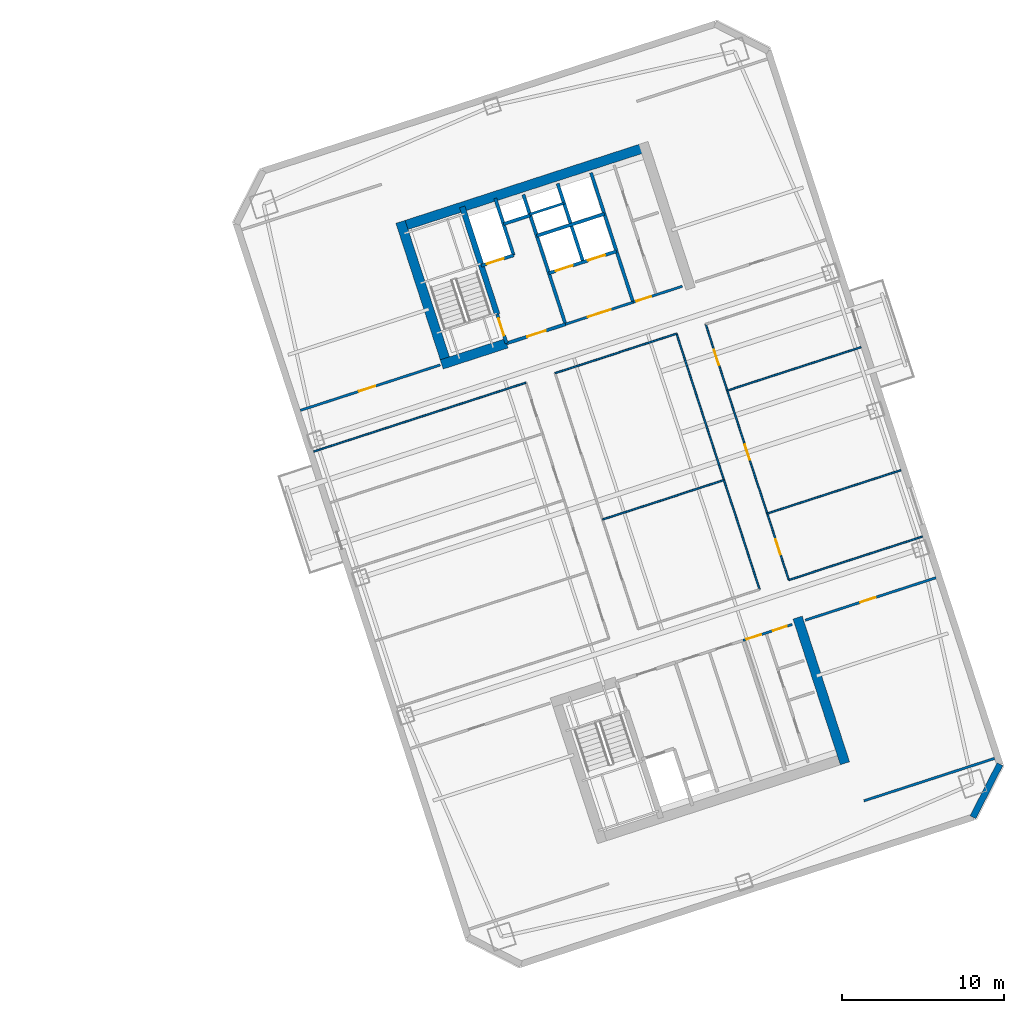
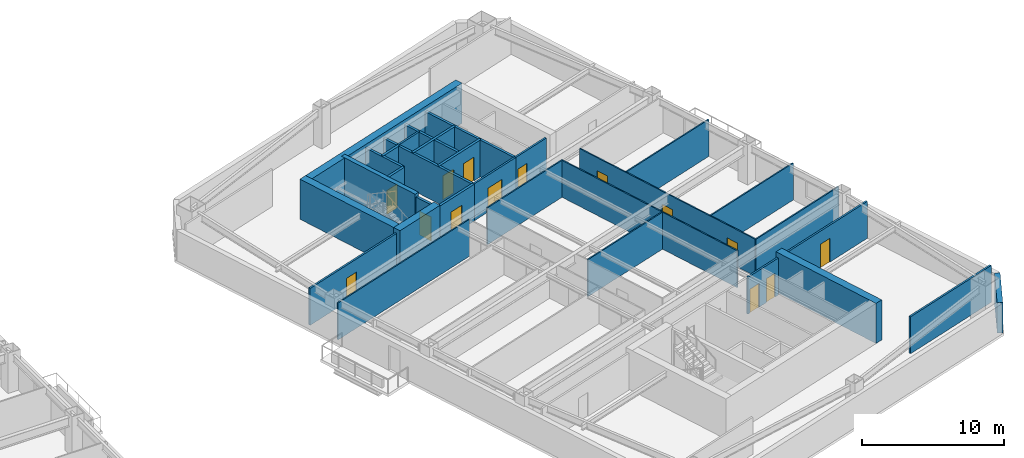
# One storey, part 8 of 15: 31 walls, 14 doors, 14 openings.
"""IFC4 building model written with IfcOpenShell, lengths in metres."""

from ifc_helpers import new_model, si_unit, direction, frame, frame_2d, origin, place, context, subcontext, project, spatial, rectangle, extrude, material, layer, layer_set, type_object, element, fill, save


model = new_model("IFC4")

# Units and contexts
model_context = context("Model", 3, precision=1e-05, world=origin(), true_north=direction((0.0, 1.0)))
body_context = subcontext(model_context, "Body", "Model", "MODEL_VIEW")
ifc_project = project(units=[si_unit("LENGTHUNIT", "METRE"), si_unit("AREAUNIT", "SQUARE_METRE"), si_unit("VOLUMEUNIT", "CUBIC_METRE"), si_unit("PLANEANGLEUNIT", "RADIAN"), si_unit("MASSUNIT", "GRAM", prefix="KILO")], contexts=[model_context])

# Site, building, storey
site_placement = place(None, origin())
site = spatial("IfcSite", under=ifc_project, at=site_placement, CompositionType="ELEMENT")
building_placement = place(site_placement, origin())
building = spatial("IfcBuilding", under=site, at=building_placement, Name="Qiaolan Cultural Towers", CompositionType="ELEMENT")
storey_placement = place(building_placement, frame((0.0, 0.0, 113.85009765625)))
storey = spatial("IfcBuildingStorey", under=building, at=storey_placement, Name="L29", CompositionType="ELEMENT", Elevation=113.85009765625)

# Walls
ifc_material_1 = material(Name="Concrete C50", Category="concrete")
ifc_layer_1 = layer(ifc_material_1, 0.35009765625)
ifc_layer_set_1 = layer_set([ifc_layer_1], Name="Concrete C50")
wall_type_1 = type_object("IfcWallType", Name="WL-CORE-350", PredefinedType="SHEAR", material=ifc_layer_set_1)
wall_1_placement = place(storey_placement, frame((82.513671875, 45.13134765625, 0.0), z_axis=(0.0, 0.0, 1.0), x_axis=(-0.308988790936, 0.951065679686, 0.0)))
element("IfcWall", 1, at=wall_1_placement, inside=storey, type_object=wall_type_1, Name="L29 T2-CN Stair Core Dividing Web", PredefinedType="SHEAR", context=body_context, shape_type="SweptSolid", body=[
    extrude(rectangle(XDim=6.97998046875, YDim=0.35009765625, at=frame_2d((3.489990234375, 0.0))), origin(), (0.0, 0.0, 1.0), 3.449951171875),
])
ifc_material_2 = material(Name="Concrete C55", Category="concrete")
ifc_layer_2 = layer(ifc_material_2, 0.60009765625)
ifc_layer_set_2 = layer_set([ifc_layer_2], Name="Concrete C55")
wall_type_2 = type_object("IfcWallType", Name="WL-CORE-600", PredefinedType="SHEAR", material=ifc_layer_set_2)
wall_2_placement = place(storey_placement, frame((101.105224609375, 26.357666015625, 0.0), z_axis=(0.0, 0.0, 1.0), x_axis=(0.309010370028, -0.95105866865, 0.0)))
element("IfcWall", 2, at=wall_2_placement, inside=storey, type_object=wall_type_2, Name="L29 T2-CS East Core Shear Wall", PredefinedType="SHEAR", context=body_context, shape_type="SweptSolid", body=[
    extrude(rectangle(XDim=9.47998046875, YDim=0.60009765625, at=frame_2d((4.739990234375, 0.0))), origin(), (0.0, 0.0, 1.0), 3.449951171875),
])
wall_3_placement = place(storey_placement, frame((76.343505859375, 50.4658203125, 0.0), z_axis=(0.0, 0.0, 1.0), x_axis=(0.951055727519, 0.309019421968, 0.0)))
element("IfcWall", 3, at=wall_3_placement, inside=storey, type_object=wall_type_2, Name="L29 T2-CN Outer Core Shear Wall", PredefinedType="SHEAR", context=body_context, shape_type="SweptSolid", body=[
    extrude(rectangle(XDim=16.39990234375, YDim=0.60009765625, at=frame_2d((8.199951171875, 0.0))), origin(), (0.0, 0.0, 1.0), 3.449951171875),
])
wall_4_placement = place(storey_placement, frame((79.465576171875, 41.827880859375, 0.0), z_axis=(0.0, 0.0, 1.0), x_axis=(-0.309041232772, 0.951048640421, 0.0)))
element("IfcWall", 4, at=wall_4_placement, inside=storey, type_object=wall_type_2, Name="L29 T2-CN West Core Shear Wall", PredefinedType="SHEAR", context=body_context, shape_type="SweptSolid", body=[
    extrude(rectangle(XDim=9.47998046875, YDim=0.60009765625, at=frame_2d((4.739990234375, 0.0))), origin(), (0.0, 0.0, 1.0), 3.449951171875),
])
wall_5_placement = place(storey_placement, frame((79.08740234375, 42.0205078125, 0.0), z_axis=(0.0, 0.0, 1.0), x_axis=(0.951062550203, 0.3089984233, 0.0)))
element("IfcWall", 5, at=wall_5_placement, inside=storey, type_object=wall_type_2, Name="L29 T2-CN Stair Front Shear Wall", PredefinedType="SHEAR", context=body_context, shape_type="SweptSolid", body=[
    extrude(rectangle(XDim=4.219970703125, YDim=0.60009765625, at=frame_2d((2.10986328125, 0.0))), origin(), (0.0, 0.0, 1.0), 3.449951171875),
])
ifc_material_3 = material(Name="Precast Concrete C50 Honed Stone Pier", Category="masonry")
ifc_layer_3 = layer(ifc_material_3, 0.39990234375)
ifc_layer_set_3 = layer_set([ifc_layer_3], Name="Precast Concrete C50 Honed Stone Pier")
wall_type_3 = type_object("IfcWallType", Name="WL-EXT-PIER-400", PredefinedType="SOLIDWALL", material=ifc_layer_set_3)
wall_6_placement = place(storey_placement, frame((113.62255859375, 17.281494140625, 0.0), z_axis=(0.0, 0.0, 1.0), x_axis=(-0.454026238093, -0.890988313685, 0.0)))
element("IfcWall", 6, at=wall_6_placement, inside=storey, type_object=wall_type_3, Name="L29 East Tower Precast Pier Facade Wall F6", PredefinedType="SOLIDWALL", context=body_context, shape_type="SweptSolid", body=[
    extrude(rectangle(XDim=3.677001953125, YDim=0.39990234375, at=frame_2d((1.83837890625, 0.0))), origin(), (0.0, 0.0, 1.0), 2.60986328125),
])

# Wall, opening, door
ifc_material_4 = material(Name="Concrete C35 Fire Wall", Category="concrete")
ifc_layer_4 = layer(ifc_material_4, 0.199951171875)
ifc_layer_set_4 = layer_set([ifc_layer_4], Name="Concrete C35 Fire Wall")
wall_type_4 = type_object("IfcWallType", Name="WL-FIRE-200", PredefinedType="PARTITIONING", material=ifc_layer_set_4)
wall_7_placement = place(storey_placement, frame((83.100830078125, 43.324462890625, 0.0), z_axis=(0.0, 0.0, 1.0), x_axis=(-0.309048298632, 0.951046344356, 0.0)))
wall_7 = element("IfcWall", 7, at=wall_7_placement, inside=storey, type_object=wall_type_4, Name="L29 T2-CN Smokeproof Stair Entry Wall", PredefinedType="PARTITIONING", context=body_context, shape_type="SweptSolid", body=[
    extrude(rectangle(XDim=1.89990234375, YDim=0.199951171875, at=frame_2d((0.949951171875, 0.0))), origin(), (0.0, 0.0, 1.0), 3.1748046875),
])
opening_1_placement = place(wall_7_placement, frame((0.52001953125, 0.0, 0.0)))
opening_1 = element("IfcOpeningElement", 8, at=opening_1_placement, cuts=wall_7, Name="Opening FD-04", PredefinedType="OPENING", context=body_context, shape_type="SweptSolid", body=[
    extrude(rectangle(XDim=1.10009765625, YDim=2.050048828125, at=frame_2d((0.550048828125, 1.02490234375))), frame((0.0, 0.10986328125, 0.0), z_axis=(0.0, -1.0, 0.0), x_axis=(1.0, 0.0, 0.0)), (0.0, 0.0, 1.0), 0.219970703125),
])
ifc_material_5 = material(Name="Galvanized Steel Command Fire Door", Category="steel")
door_type_1 = type_object("IfcDoorType", Name="DR-FD90-1100", OperationType="NOTDEFINED", PredefinedType="DOOR", material=ifc_material_5)
door_1_placement = place(opening_1_placement, origin())
door_1 = element("IfcDoor", 9, at=door_1_placement, inside=storey, type_object=door_type_1, Name="L29 ST-E2 Smokeproof Stair Fire Door", OperationType="SINGLE_SWING_LEFT", OverallHeight=2.050048828125, OverallWidth=1.10009765625, PredefinedType="DOOR", context=body_context, shape_type="SweptSolid", body=[
    extrude(rectangle(XDim=1.10009765625, YDim=2.050048828125, at=frame_2d((0.550048828125, 1.02490234375))), frame((0.0, 0.02490234375, 0.0), z_axis=(0.0, -1.0, 0.0), x_axis=(1.0, 0.0, 0.0)), (0.0, 0.0, 1.0), 0.050048828125),
])
fill(opening_1, door_1)

# Wall
wall_8_placement = place(storey_placement, frame((86.743408203125, 44.508056640625, 0.0), z_axis=(0.0, 0.0, 1.0), x_axis=(-0.309016001439, 0.951056838919, 0.0)))
element("IfcWall", 10, at=wall_8_placement, inside=storey, type_object=wall_type_4, Name="L29 T2-CN Firefighting Zone Wall", PredefinedType="PARTITIONING", context=body_context, shape_type="SweptSolid", body=[
    extrude(rectangle(XDim=8.429931640625, YDim=0.199951171875, at=frame_2d((4.21484375, 0.0))), origin(), (0.0, 0.0, 1.0), 3.1748046875),
])

# Wall, opening, door
wall_9_placement = place(storey_placement, frame((83.100830078125, 43.324462890625, 0.0), z_axis=(0.0, 0.0, 1.0), x_axis=(0.951052804469, 0.309028417967, 0.0)))
wall_9 = element("IfcWall", 11, at=wall_9_placement, inside=storey, type_object=wall_type_4, Name="L29 T2-CN Firefighting Lobby Front Wall", PredefinedType="PARTITIONING", context=body_context, shape_type="SweptSolid", body=[
    extrude(rectangle(XDim=3.830078125, YDim=0.199951171875, at=frame_2d((1.9150390625, 0.0))), origin(), (0.0, 0.0, 1.0), 3.1748046875),
])
opening_2_placement = place(wall_9_placement, frame((1.35009765625, 0.0, 0.0)))
opening_2 = element("IfcOpeningElement", 12, at=opening_2_placement, cuts=wall_9, Name="Opening FD-03", PredefinedType="OPENING", context=body_context, shape_type="SweptSolid", body=[
    extrude(rectangle(XDim=1.199951171875, YDim=2.050048828125, at=frame_2d((0.60009765625, 1.02490234375))), frame((0.0, 0.10986328125, 0.0), z_axis=(0.0, -1.0, 0.0), x_axis=(1.0, 0.0, 0.0)), (0.0, 0.0, 1.0), 0.219970703125),
])
ifc_material_6 = material(Name="Galvanized Steel Smokeproof Lobby Fire Door", Category="steel")
door_type_2 = type_object("IfcDoorType", Name="DR-FD90-1200", OperationType="NOTDEFINED", PredefinedType="DOOR", material=ifc_material_6)
door_2_placement = place(opening_2_placement, origin())
door_2 = element("IfcDoor", 13, at=door_2_placement, inside=storey, type_object=door_type_2, Name="L29 FFL-E2 Firefighting Lobby Fire Door", OperationType="SINGLE_SWING_LEFT", OverallHeight=2.050048828125, OverallWidth=1.199951171875, PredefinedType="DOOR", context=body_context, shape_type="SweptSolid", body=[
    extrude(rectangle(XDim=1.199951171875, YDim=2.050048828125, at=frame_2d((0.60009765625, 1.02490234375))), frame((0.0, 0.02490234375, 0.0), z_axis=(0.0, -1.0, 0.0), x_axis=(1.0, 0.0, 0.0)), (0.0, 0.0, 1.0), 0.050048828125),
])
fill(opening_2, door_2)

wall_10_placement = place(storey_placement, frame((81.540283203125, 48.127197265625, 0.0), z_axis=(0.0, 0.0, 1.0), x_axis=(0.951062257173, 0.308999325213, 0.0)))
wall_10 = element("IfcWall", 14, at=wall_10_placement, inside=storey, type_object=wall_type_4, Name="L29 T2-CN Firefighting Shaft Front Wall", PredefinedType="PARTITIONING", context=body_context, shape_type="SweptSolid", body=[
    extrude(rectangle(XDim=2.10009765625, YDim=0.199951171875, at=frame_2d((1.050048828125, 0.0))), origin(), (0.0, 0.0, 1.0), 3.1748046875),
])
opening_3_placement = place(wall_10_placement, frame((0.35009765625, 0.0, 0.0)))
opening_3 = element("IfcOpeningElement", 15, at=opening_3_placement, cuts=wall_10, Name="Opening LD-01", PredefinedType="OPENING", context=body_context, shape_type="SweptSolid", body=[
    extrude(rectangle(XDim=1.10009765625, YDim=2.050048828125, at=frame_2d((0.550048828125, 1.02490234375))), frame((0.0, 0.10986328125, 0.0), z_axis=(0.0, -1.0, 0.0), x_axis=(1.0, 0.0, 0.0)), (0.0, 0.0, 1.0), 0.219970703125),
])
ifc_material_7 = material(Name="Brushed Stainless Steel S30408 Centre-Parting Lift Landing Door", Category="steel")
door_type_3 = type_object("IfcDoorType", Name="DR-LIFT-1100", OperationType="NOTDEFINED", PredefinedType="DOOR", material=ifc_material_7)
door_3_placement = place(opening_3_placement, origin())
door_3 = element("IfcDoor", 16, at=door_3_placement, inside=storey, type_object=door_type_3, Name="L29 FFL-E2 Firefighting Lift Landing Door", OperationType="DOUBLE_DOOR_SLIDING", OverallHeight=2.050048828125, OverallWidth=1.10009765625, PredefinedType="DOOR", context=body_context, shape_type="SweptSolid", body=[
    extrude(rectangle(XDim=1.10009765625, YDim=2.050048828125, at=frame_2d((0.550048828125, 1.02490234375))), frame((0.0, 0.02490234375, 0.0), z_axis=(0.0, -1.0, 0.0), x_axis=(1.0, 0.0, 0.0)), (0.0, 0.0, 1.0), 0.050048828125),
])
fill(opening_3, door_3)

# Walls
wall_11_placement = place(storey_placement, frame((83.53759765625, 48.776123046875, 0.0), z_axis=(0.0, 0.0, 1.0), x_axis=(-0.3089935693, 0.951064127245, 0.0)))
element("IfcWall", 17, at=wall_11_placement, inside=storey, type_object=wall_type_4, Name="L29 T2-CN Firefighting Hoistway East Wall", PredefinedType="PARTITIONING", context=body_context, shape_type="SweptSolid", body=[
    extrude(rectangle(XDim=3.7001953125, YDim=0.199951171875, at=frame_2d((1.85009765625, 0.0))), origin(), (0.0, 0.0, 1.0), 3.1748046875),
])
wall_12_placement = place(storey_placement, frame((82.910400390625, 50.706787109375, 0.0), z_axis=(0.0, 0.0, 1.0), x_axis=(0.951041328149, 0.309063734775, 0.0)))
element("IfcWall", 18, at=wall_12_placement, inside=storey, type_object=wall_type_4, Name="L29 T2-CN Pressurization Shaft Front Wall", PredefinedType="PARTITIONING", context=body_context, shape_type="SweptSolid", body=[
    extrude(rectangle(XDim=1.72998046875, YDim=0.199951171875, at=frame_2d((0.864990234375, 0.0))), origin(), (0.0, 0.0, 1.0), 3.1748046875),
])
wall_13_placement = place(storey_placement, frame((90.92822265625, 45.86767578125, 0.0), z_axis=(0.0, 0.0, 1.0), x_axis=(-0.309042196757, 0.951048327176, 0.0)))
element("IfcWall", 19, at=wall_13_placement, inside=storey, type_object=wall_type_4, Name="L29 T2-CN Lift Core East Wall", PredefinedType="PARTITIONING", context=body_context, shape_type="SweptSolid", body=[
    extrude(rectangle(XDim=8.429931640625, YDim=0.199951171875, at=frame_2d((4.21484375, 0.0))), origin(), (0.0, 0.0, 1.0), 3.1748046875),
])

# Wall, openings, doors
wall_14_placement = place(storey_placement, frame((85.717529296875, 47.66552734375, 0.0), z_axis=(0.0, 0.0, 1.0), x_axis=(0.951058531764, 0.30901079133, 0.0)))
wall_14 = element("IfcWall", 20, at=wall_14_placement, inside=storey, type_object=wall_type_4, Name="L29 T2-CN Passenger Lift Shaft Front Wall", PredefinedType="PARTITIONING", context=body_context, shape_type="SweptSolid", body=[
    extrude(rectangle(XDim=4.39990234375, YDim=0.199951171875, at=frame_2d((2.199951171875, 0.0))), origin(), (0.0, 0.0, 1.0), 3.1748046875),
])
opening_4_placement = place(wall_14_placement, frame((0.449951171875, 0.0, 0.0)))
opening_4 = element("IfcOpeningElement", 21, at=opening_4_placement, cuts=wall_14, Name="Opening LD-01", PredefinedType="OPENING", context=body_context, shape_type="SweptSolid", body=[
    extrude(rectangle(XDim=1.10009765625, YDim=2.050048828125, at=frame_2d((0.550048828125, 1.02490234375))), frame((0.0, 0.10986328125, 0.0), z_axis=(0.0, -1.0, 0.0), x_axis=(1.0, 0.0, 0.0)), (0.0, 0.0, 1.0), 0.219970703125),
])
opening_5_placement = place(wall_14_placement, frame((2.550048828125, 0.0, 0.0)))
opening_5 = element("IfcOpeningElement", 22, at=opening_5_placement, cuts=wall_14, Name="Opening LD-01", PredefinedType="OPENING", context=body_context, shape_type="SweptSolid", body=[
    extrude(rectangle(XDim=1.10009765625, YDim=2.050048828125, at=frame_2d((0.550048828125, 1.02490234375))), frame((0.0, 0.10986328125, 0.0), z_axis=(0.0, -1.0, 0.0), x_axis=(1.0, 0.0, 0.0)), (0.0, 0.0, 1.0), 0.219970703125),
])
door_4_placement = place(opening_4_placement, origin())
door_4 = element("IfcDoor", 23, at=door_4_placement, inside=storey, type_object=door_type_3, Name="L29 Passenger Lift 1 Landing Door", OperationType="DOUBLE_DOOR_SLIDING", OverallHeight=2.050048828125, OverallWidth=1.10009765625, PredefinedType="DOOR", context=body_context, shape_type="SweptSolid", body=[
    extrude(rectangle(XDim=1.10009765625, YDim=2.050048828125, at=frame_2d((0.550048828125, 1.02490234375))), frame((0.0, 0.02490234375, 0.0), z_axis=(0.0, -1.0, 0.0), x_axis=(1.0, 0.0, 0.0)), (0.0, 0.0, 1.0), 0.050048828125),
])
fill(opening_4, door_4)
door_5_placement = place(opening_5_placement, origin())
door_5 = element("IfcDoor", 24, at=door_5_placement, inside=storey, type_object=door_type_3, Name="L29 Passenger Lift 2 Landing Door", OperationType="DOUBLE_DOOR_SLIDING", OverallHeight=2.050048828125, OverallWidth=1.10009765625, PredefinedType="DOOR", context=body_context, shape_type="SweptSolid", body=[
    extrude(rectangle(XDim=1.10009765625, YDim=2.050048828125, at=frame_2d((0.550048828125, 1.02490234375))), frame((0.0, 0.02490234375, 0.0), z_axis=(0.0, -1.0, 0.0), x_axis=(1.0, 0.0, 0.0)), (0.0, 0.0, 1.0), 0.050048828125),
])
fill(opening_5, door_5)

# Walls
wall_15_placement = place(storey_placement, frame((87.83837890625, 48.3544921875, 0.0), z_axis=(0.0, 0.0, 1.0), x_axis=(-0.3090093719, 0.951058992953, 0.0)))
element("IfcWall", 25, at=wall_15_placement, inside=storey, type_object=wall_type_4, Name="L29 T2-CN Lift Shaft Divider Wall", PredefinedType="PARTITIONING", context=body_context, shape_type="SweptSolid", body=[
    extrude(rectangle(XDim=5.110107421875, YDim=0.199951171875, at=frame_2d((2.55517578125, 0.0))), origin(), (0.0, 0.0, 1.0), 3.1748046875),
])
wall_16_placement = place(storey_placement, frame((84.966552734375, 49.9765625, 0.0), z_axis=(0.0, 0.0, 1.0), x_axis=(0.951063829732, 0.308994485023, 0.0)))
element("IfcWall", 26, at=wall_16_placement, inside=storey, type_object=wall_type_4, Name="L29 T2-CN Passenger Lift Shaft Back Wall", PredefinedType="PARTITIONING", context=body_context, shape_type="SweptSolid", body=[
    extrude(rectangle(XDim=4.400146484375, YDim=0.199951171875, at=frame_2d((2.2001953125, 0.0))), origin(), (0.0, 0.0, 1.0), 3.1748046875),
])
ifc_material_8 = material(Name="Acoustic Double-Glazed Partition Frame", Category="glass")
ifc_layer_5 = layer(ifc_material_8, 0.10009765625)
ifc_layer_set_5 = layer_set([ifc_layer_5], Name="Acoustic Double-Glazed Partition Frame")
wall_type_5 = type_object("IfcWallType", Name="WL-GLAZED-100", PredefinedType="MOVABLE", material=ifc_layer_set_5)
wall_17_placement = place(storey_placement, frame((100.559814453125, 28.682861328125, 0.0), z_axis=(0.0, 0.0, 1.0), x_axis=(0.951055307445, 0.309020714809, 0.0)))
element("IfcWall", 27, at=wall_17_placement, inside=storey, type_object=wall_type_5, Name="L29 T2 Interior Wall", PredefinedType="MOVABLE", context=body_context, shape_type="SweptSolid", body=[
    extrude(rectangle(XDim=8.699951171875, YDim=0.10009765625, at=frame_2d((4.35009765625, 0.0))), origin(), (0.0, 0.0, 1.0), 3.1748046875),
])
wall_18_placement = place(storey_placement, frame((71.166015625, 36.628662109375, 0.0), z_axis=(0.0, 0.0, 1.0), x_axis=(0.951056688031, 0.309016465825, 0.0)))
element("IfcWall", 28, at=wall_18_placement, inside=storey, type_object=wall_type_5, Name="L29 T2 Interior Wall", PredefinedType="MOVABLE", context=body_context, shape_type="SweptSolid", body=[
    extrude(rectangle(XDim=13.7998046875, YDim=0.10009765625, at=frame_2d((6.89990234375, 0.0))), origin(), (0.0, 0.0, 1.0), 3.1748046875),
])
wall_19_placement = place(storey_placement, frame((86.097412109375, 41.480224609375, 0.0), z_axis=(0.0, 0.0, 1.0), x_axis=(0.951060182336, 0.309005711233, 0.0)))
element("IfcWall", 29, at=wall_19_placement, inside=storey, type_object=wall_type_5, Name="L29 T2 Interior Wall", PredefinedType="MOVABLE", context=body_context, shape_type="SweptSolid", body=[
    extrude(rectangle(XDim=7.900146484375, YDim=0.10009765625, at=frame_2d((3.9501953125, 0.0))), origin(), (0.0, 0.0, 1.0), 3.1748046875),
])
wall_20_placement = place(storey_placement, frame((98.7529296875, 28.095703125, 0.0), z_axis=(0.0, 0.0, 1.0), x_axis=(-0.30901773025, 0.951056277195, 0.0)))
element("IfcWall", 30, at=wall_20_placement, inside=storey, type_object=wall_type_5, Name="L29 T2 Interior Wall", PredefinedType="MOVABLE", context=body_context, shape_type="SweptSolid", body=[
    extrude(rectangle(XDim=16.64013671875, YDim=0.10009765625, at=frame_2d((8.320068359375, 0.0))), origin(), (0.0, 0.0, 1.0), 3.1748046875),
])

# Wall, openings, doors
wall_21_placement = place(storey_placement, frame((100.559814453125, 28.682861328125, 0.0), z_axis=(0.0, 0.0, 1.0), x_axis=(-0.309004459387, 0.951060589068, 0.0)))
wall_21 = element("IfcWall", 31, at=wall_21_placement, inside=storey, type_object=wall_type_5, Name="L29 T2 Interior Wall", PredefinedType="MOVABLE", context=body_context, shape_type="SweptSolid", body=[
    extrude(rectangle(XDim=16.64013671875, YDim=0.10009765625, at=frame_2d((8.320068359375, 0.0))), origin(), (0.0, 0.0, 1.0), 3.1748046875),
])
opening_6_placement = place(wall_21_placement, frame((1.659912109375, 0.0, 0.0)))
opening_6 = element("IfcOpeningElement", 32, at=opening_6_placement, cuts=wall_21, Name="Opening ID-04", PredefinedType="OPENING", context=body_context, shape_type="SweptSolid", body=[
    extrude(rectangle(XDim=1.0, YDim=2.050048828125, at=frame_2d((0.5, 1.02490234375))), frame((0.0, 0.06005859375, 0.0), z_axis=(0.0, -1.0, 0.0), x_axis=(1.0, 0.0, 0.0)), (0.0, 0.0, 1.0), 0.1201171875),
])
opening_7_placement = place(wall_21_placement, frame((7.820068359375, 0.0, 0.0)))
opening_7 = element("IfcOpeningElement", 33, at=opening_7_placement, cuts=wall_21, Name="Opening ID-04", PredefinedType="OPENING", context=body_context, shape_type="SweptSolid", body=[
    extrude(rectangle(XDim=1.0, YDim=2.050048828125, at=frame_2d((0.5, 1.02490234375))), frame((0.0, 0.06005859375, 0.0), z_axis=(0.0, -1.0, 0.0), x_axis=(1.0, 0.0, 0.0)), (0.0, 0.0, 1.0), 0.1201171875),
])
opening_8_placement = place(wall_21_placement, frame((13.97998046875, 0.0, 0.0)))
opening_8 = element("IfcOpeningElement", 34, at=opening_8_placement, cuts=wall_21, Name="Opening ID-04", PredefinedType="OPENING", context=body_context, shape_type="SweptSolid", body=[
    extrude(rectangle(XDim=1.0, YDim=2.050048828125, at=frame_2d((0.5, 1.02490234375))), frame((0.0, 0.06005859375, 0.0), z_axis=(0.0, -1.0, 0.0), x_axis=(1.0, 0.0, 0.0)), (0.0, 0.0, 1.0), 0.1201171875),
])
ifc_material_9 = material(Name="Oak Veneer Acoustic Office Door", Category="timber")
door_type_4 = type_object("IfcDoorType", Name="DR-INT-1000", OperationType="NOTDEFINED", PredefinedType="DOOR", material=ifc_material_9)
door_6_placement = place(opening_6_placement, origin())
door_6 = element("IfcDoor", 35, at=door_6_placement, inside=storey, type_object=door_type_4, Name="L29 T2 Client Boardroom Door", OperationType="SINGLE_SWING_RIGHT", OverallHeight=2.050048828125, OverallWidth=1.0, PredefinedType="DOOR", context=body_context, shape_type="SweptSolid", body=[
    extrude(rectangle(XDim=1.0, YDim=2.050048828125, at=frame_2d((0.5, 1.02490234375))), frame((0.0, 0.02490234375, 0.0), z_axis=(0.0, -1.0, 0.0), x_axis=(1.0, 0.0, 0.0)), (0.0, 0.0, 1.0), 0.050048828125),
])
fill(opening_6, door_6)
door_7_placement = place(opening_7_placement, origin())
door_7 = element("IfcDoor", 36, at=door_7_placement, inside=storey, type_object=door_type_4, Name="L29 T2 Client Boardroom Door", OperationType="SINGLE_SWING_LEFT", OverallHeight=2.050048828125, OverallWidth=1.0, PredefinedType="DOOR", context=body_context, shape_type="SweptSolid", body=[
    extrude(rectangle(XDim=1.0, YDim=2.050048828125, at=frame_2d((0.5, 1.02490234375))), frame((0.0, 0.02490234375, 0.0), z_axis=(0.0, -1.0, 0.0), x_axis=(1.0, 0.0, 0.0)), (0.0, 0.0, 1.0), 0.050048828125),
])
fill(opening_7, door_7)
door_8_placement = place(opening_8_placement, origin())
door_8 = element("IfcDoor", 37, at=door_8_placement, inside=storey, type_object=door_type_4, Name="L29 T2 Reception Lounge Door", OperationType="SINGLE_SWING_RIGHT", OverallHeight=2.050048828125, OverallWidth=1.0, PredefinedType="DOOR", context=body_context, shape_type="SweptSolid", body=[
    extrude(rectangle(XDim=1.0, YDim=2.050048828125, at=frame_2d((0.5, 1.02490234375))), frame((0.0, 0.02490234375, 0.0), z_axis=(0.0, -1.0, 0.0), x_axis=(1.0, 0.0, 0.0)), (0.0, 0.0, 1.0), 0.050048828125),
])
fill(opening_8, door_8)

# Walls
wall_22_placement = place(storey_placement, frame((89.039306640625, 32.426025390625, 0.0), z_axis=(0.0, 0.0, 1.0), x_axis=(0.951051099951, 0.309033663672, 0.0)))
element("IfcWall", 38, at=wall_22_placement, inside=storey, type_object=wall_type_5, Name="L29 T2 Interior Wall", PredefinedType="MOVABLE", context=body_context, shape_type="SweptSolid", body=[
    extrude(rectangle(XDim=7.900146484375, YDim=0.10009765625, at=frame_2d((3.9501953125, 0.0))), origin(), (0.0, 0.0, 1.0), 3.1748046875),
])
wall_23_placement = place(storey_placement, frame((99.224853515625, 32.79150390625, 0.0), z_axis=(0.0, 0.0, 1.0), x_axis=(0.951055307445, 0.309020714809, 0.0)))
element("IfcWall", 39, at=wall_23_placement, inside=storey, type_object=wall_type_5, Name="L29 T2 Interior Wall", PredefinedType="MOVABLE", context=body_context, shape_type="SweptSolid", body=[
    extrude(rectangle(XDim=8.699951171875, YDim=0.10009765625, at=frame_2d((4.35009765625, 0.0))), origin(), (0.0, 0.0, 1.0), 3.1748046875),
])
wall_24_placement = place(storey_placement, frame((96.752685546875, 40.39990234375, 0.0), z_axis=(0.0, 0.0, 1.0), x_axis=(0.951057987102, 0.309012467661, 0.0)))
element("IfcWall", 40, at=wall_24_placement, inside=storey, type_object=wall_type_5, Name="L29 T2 Interior Wall", PredefinedType="MOVABLE", context=body_context, shape_type="SweptSolid", body=[
    extrude(rectangle(XDim=8.7001953125, YDim=0.10009765625, at=frame_2d((4.35009765625, 0.0))), origin(), (0.0, 0.0, 1.0), 3.1748046875),
])

# Wall, openings, doors
ifc_material_10 = material(Name="Autoclaved Aerated Concrete Block B06", Category="concrete")
ifc_layer_6 = layer(ifc_material_10, 0.14990234375)
ifc_layer_set_6 = layer_set([ifc_layer_6], Name="Autoclaved Aerated Concrete Block B06")
wall_type_6 = type_object("IfcWallType", Name="WL-PART-150", PredefinedType="PARTITIONING", material=ifc_layer_set_6)
wall_25_placement = place(storey_placement, frame((97.7265625, 24.9443359375, 0.0), z_axis=(0.0, 0.0, 1.0), x_axis=(0.951036872128, 0.309077446369, 0.0)))
wall_25 = element("IfcWall", 41, at=wall_25_placement, inside=storey, type_object=wall_type_6, Name="L29 T2-CS Sanitary Core Front Wall", PredefinedType="PARTITIONING", context=body_context, shape_type="SweptSolid", body=[
    extrude(rectangle(XDim=3.199951171875, YDim=0.14990234375, at=frame_2d((1.60009765625, 0.0))), origin(), (0.0, 0.0, 1.0), 3.1748046875),
])
opening_9_placement = place(wall_25_placement, frame((0.219970703125, 0.0, 0.0)))
opening_9 = element("IfcOpeningElement", 42, at=opening_9_placement, cuts=wall_25, Name="Opening ID-05", PredefinedType="OPENING", context=body_context, shape_type="SweptSolid", body=[
    extrude(rectangle(XDim=0.949951171875, YDim=2.050048828125, at=frame_2d((0.47509765625, 1.02490234375))), frame((0.0, 0.0849609375, 0.0), z_axis=(0.0, -1.0, 0.0), x_axis=(1.0, 0.0, 0.0)), (0.0, 0.0, 1.0), 0.169921875),
])
opening_10_placement = place(wall_25_placement, frame((1.949951171875, 0.0, 0.0)))
opening_10 = element("IfcOpeningElement", 43, at=opening_10_placement, cuts=wall_25, Name="Opening ID-06", PredefinedType="OPENING", context=body_context, shape_type="SweptSolid", body=[
    extrude(rectangle(XDim=0.89990234375, YDim=2.050048828125, at=frame_2d((0.449951171875, 1.02490234375))), frame((0.0, 0.0849609375, 0.0), z_axis=(0.0, -1.0, 0.0), x_axis=(1.0, 0.0, 0.0)), (0.0, 0.0, 1.0), 0.169921875),
])
ifc_material_11 = material(Name="Fire-Rated Laminate Core Service Door", Category="timber")
door_type_5 = type_object("IfcDoorType", Name="DR-INT-900", OperationType="NOTDEFINED", PredefinedType="DOOR", material=ifc_material_11)
door_9_placement = place(opening_10_placement, origin())
door_9 = element("IfcDoor", 44, at=door_9_placement, inside=storey, type_object=door_type_5, Name="L29 Core Tea Pantry Door", OperationType="SINGLE_SWING_RIGHT", OverallHeight=2.050048828125, OverallWidth=0.89990234375, PredefinedType="DOOR", context=body_context, shape_type="SweptSolid", body=[
    extrude(rectangle(XDim=0.89990234375, YDim=2.050048828125, at=frame_2d((0.449951171875, 1.02490234375))), frame((0.0, 0.02490234375, 0.0), z_axis=(0.0, -1.0, 0.0), x_axis=(1.0, 0.0, 0.0)), (0.0, 0.0, 1.0), 0.050048828125),
])
fill(opening_10, door_9)
ifc_material_12 = material(Name="Fire-Rated Laminate Accessible Core Door", Category="timber")
door_type_6 = type_object("IfcDoorType", Name="DR-INT-950", OperationType="NOTDEFINED", PredefinedType="DOOR", material=ifc_material_12)
door_10_placement = place(opening_9_placement, origin())
door_10 = element("IfcDoor", 45, at=door_10_placement, inside=storey, type_object=door_type_6, Name="L29 Sanitary Passage Door", OperationType="SINGLE_SWING_LEFT", OverallHeight=2.050048828125, OverallWidth=0.949951171875, PredefinedType="DOOR", context=body_context, shape_type="SweptSolid", body=[
    extrude(rectangle(XDim=0.949951171875, YDim=2.050048828125, at=frame_2d((0.47509765625, 1.02490234375))), frame((0.0, 0.02490234375, 0.0), z_axis=(0.0, -1.0, 0.0), x_axis=(1.0, 0.0, 0.0)), (0.0, 0.0, 1.0), 0.050048828125),
])
fill(opening_9, door_10)

# Wall, opening, door
wall_26_placement = place(storey_placement, frame((86.743408203125, 44.508056640625, 0.0), z_axis=(0.0, 0.0, 1.0), x_axis=(0.951063829732, 0.308994485023, 0.0)))
wall_26 = element("IfcWall", 46, at=wall_26_placement, inside=storey, type_object=wall_type_6, Name="L29 T2-CN Passenger Lift Lobby Front Wall", PredefinedType="PARTITIONING", context=body_context, shape_type="SweptSolid", body=[
    extrude(rectangle(XDim=4.400146484375, YDim=0.14990234375, at=frame_2d((2.2001953125, 0.0))), origin(), (0.0, 0.0, 1.0), 3.1748046875),
])
opening_11_placement = place(wall_26_placement, frame((1.449951171875, 0.0, 0.0)))
opening_11 = element("IfcOpeningElement", 47, at=opening_11_placement, cuts=wall_26, Name="Opening FD-05", PredefinedType="OPENING", context=body_context, shape_type="SweptSolid", body=[
    extrude(rectangle(XDim=1.5, YDim=2.050048828125, at=frame_2d((0.75, 1.02490234375))), frame((0.0, 0.0849609375, 0.0), z_axis=(0.0, -1.0, 0.0), x_axis=(1.0, 0.0, 0.0)), (0.0, 0.0, 1.0), 0.169921875),
])
ifc_material_13 = material(Name="Painted Steel Lift Lobby Fire Door", Category="steel")
door_type_7 = type_object("IfcDoorType", Name="DR-FD60-1500", OperationType="NOTDEFINED", PredefinedType="DOOR", material=ifc_material_13)
door_11_placement = place(opening_11_placement, origin())
door_11 = element("IfcDoor", 48, at=door_11_placement, inside=storey, type_object=door_type_7, Name="L29 Passenger Lift Lobby Entrance", OperationType="SINGLE_SWING_LEFT", OverallHeight=2.050048828125, OverallWidth=1.5, PredefinedType="DOOR", context=body_context, shape_type="SweptSolid", body=[
    extrude(rectangle(XDim=1.5, YDim=2.050048828125, at=frame_2d((0.75, 1.02490234375))), frame((0.0, 0.02490234375, 0.0), z_axis=(0.0, -1.0, 0.0), x_axis=(1.0, 0.0, 0.0)), (0.0, 0.0, 1.0), 0.050048828125),
])
fill(opening_11, door_11)

# Wall
wall_27_placement = place(storey_placement, frame((84.533935546875, 51.30810546875, 0.0), z_axis=(0.0, 0.0, 1.0), x_axis=(0.951075093106, 0.308959814982, 0.0)))
element("IfcWall", 49, at=wall_27_placement, inside=storey, type_object=wall_type_6, Name="L29 T2-CN Core Rear Riser Split", PredefinedType="PARTITIONING", context=body_context, shape_type="SweptSolid", body=[
    extrude(rectangle(XDim=2.22998046875, YDim=0.14990234375, at=frame_2d((1.114990234375, 0.0))), origin(), (0.0, 0.0, 1.0), 3.1748046875),
])

# Wall, opening, door
wall_28_placement = place(storey_placement, frame((90.92822265625, 45.86767578125, 0.0), z_axis=(0.0, 0.0, 1.0), x_axis=(0.951059297078, 0.309008435874, 0.0)))
wall_28 = element("IfcWall", 50, at=wall_28_placement, inside=storey, type_object=wall_type_6, Name="L29 T2-CN Sanitary Core Front Wall", PredefinedType="PARTITIONING", context=body_context, shape_type="SweptSolid", body=[
    extrude(rectangle(XDim=3.19970703125, YDim=0.14990234375, at=frame_2d((1.599853515625, 0.0))), origin(), (0.0, 0.0, 1.0), 3.1748046875),
])
opening_12_placement = place(wall_28_placement, frame((0.219970703125, 0.0, 0.0)))
opening_12 = element("IfcOpeningElement", 51, at=opening_12_placement, cuts=wall_28, Name="Opening ID-05", PredefinedType="OPENING", context=body_context, shape_type="SweptSolid", body=[
    extrude(rectangle(XDim=0.949951171875, YDim=2.050048828125, at=frame_2d((0.47509765625, 1.02490234375))), frame((0.0, 0.0849609375, 0.0), z_axis=(0.0, -1.0, 0.0), x_axis=(1.0, 0.0, 0.0)), (0.0, 0.0, 1.0), 0.169921875),
])
door_12_placement = place(opening_12_placement, origin())
door_12 = element("IfcDoor", 52, at=door_12_placement, inside=storey, type_object=door_type_6, Name="L29 Sanitary Lobby Door", OperationType="SINGLE_SWING_LEFT", OverallHeight=2.050048828125, OverallWidth=0.949951171875, PredefinedType="DOOR", context=body_context, shape_type="SweptSolid", body=[
    extrude(rectangle(XDim=0.949951171875, YDim=2.050048828125, at=frame_2d((0.47509765625, 1.02490234375))), frame((0.0, 0.02490234375, 0.0), z_axis=(0.0, -1.0, 0.0), x_axis=(1.0, 0.0, 0.0)), (0.0, 0.0, 1.0), 0.050048828125),
])
fill(opening_12, door_12)

# Wall
wall_29_placement = place(storey_placement, frame((105.209228515625, 15.02099609375, 0.0), z_axis=(0.0, 0.0, 1.0), x_axis=(0.951054329824, 0.309023723562, 0.0)))
element("IfcWall", 53, at=wall_29_placement, inside=storey, type_object=wall_type_6, Name="L29 T2 Flank Wall FLK-SE", PredefinedType="PARTITIONING", context=body_context, shape_type="SweptSolid", body=[
    extrude(rectangle(XDim=8.5, YDim=0.14990234375, at=frame_2d((4.25, 0.0))), origin(), (0.0, 0.0, 1.0), 3.1748046875),
])

# Wall, opening, door
wall_30_placement = place(storey_placement, frame((101.578369140625, 26.196044921875, 0.0), z_axis=(0.0, 0.0, 1.0), x_axis=(0.951062770994, 0.308997743729, 0.0)))
wall_30 = element("IfcWall", 54, at=wall_30_placement, inside=storey, type_object=wall_type_6, Name="L29 T2 Flank Front FLK-SE", PredefinedType="PARTITIONING", context=body_context, shape_type="SweptSolid", body=[
    extrude(rectangle(XDim=8.5, YDim=0.14990234375, at=frame_2d((4.25, 0.0))), origin(), (0.0, 0.0, 1.0), 3.1748046875),
])
opening_13_placement = place(wall_30_placement, frame((3.570068359375, 0.0, 0.0)))
opening_13 = element("IfcOpeningElement", 55, at=opening_13_placement, cuts=wall_30, Name="Opening ID-04", PredefinedType="OPENING", context=body_context, shape_type="SweptSolid", body=[
    extrude(rectangle(XDim=1.0, YDim=2.050048828125, at=frame_2d((0.5, 1.02490234375))), frame((0.0, 0.0849609375, 0.0), z_axis=(0.0, -1.0, 0.0), x_axis=(1.0, 0.0, 0.0)), (0.0, 0.0, 1.0), 0.169921875),
])
door_13_placement = place(opening_13_placement, origin())
door_13 = element("IfcDoor", 56, at=door_13_placement, inside=storey, type_object=door_type_4, Name="L29 T2 Corner Studio Door", OperationType="SINGLE_SWING_LEFT", OverallHeight=2.050048828125, OverallWidth=1.0, PredefinedType="DOOR", context=body_context, shape_type="SweptSolid", body=[
    extrude(rectangle(XDim=1.0, YDim=2.050048828125, at=frame_2d((0.5, 1.02490234375))), frame((0.0, 0.02490234375, 0.0), z_axis=(0.0, -1.0, 0.0), x_axis=(1.0, 0.0, 0.0)), (0.0, 0.0, 1.0), 0.050048828125),
])
fill(opening_13, door_13)

wall_31_placement = place(storey_placement, frame((70.337646484375, 39.177490234375, 0.0), z_axis=(0.0, 0.0, 1.0), x_axis=(0.951059695568, 0.309007209409, 0.0)))
wall_31 = element("IfcWall", 57, at=wall_31_placement, inside=storey, type_object=wall_type_6, Name="L29 T2 Flank Front FLK-NW", PredefinedType="PARTITIONING", context=body_context, shape_type="SweptSolid", body=[
    extrude(rectangle(XDim=9.10009765625, YDim=0.14990234375, at=frame_2d((4.550048828125, 0.0))), origin(), (0.0, 0.0, 1.0), 3.1748046875),
])
opening_14_placement = place(wall_31_placement, frame((3.822021484375, 0.0, 0.0)))
opening_14 = element("IfcOpeningElement", 58, at=opening_14_placement, cuts=wall_31, Name="Opening ID-07", PredefinedType="OPENING", context=body_context, shape_type="SweptSolid", body=[
    extrude(rectangle(XDim=1.050048828125, YDim=2.050048828125, at=frame_2d((0.52490234375, 1.02490234375))), frame((0.0, 0.0849609375, 0.0), z_axis=(0.0, -1.0, 0.0), x_axis=(1.0, 0.0, 0.0)), (0.0, 0.0, 1.0), 0.169921875),
])
ifc_material_14 = material(Name="Oak Veneer Consultation Door", Category="timber")
door_type_8 = type_object("IfcDoorType", Name="DR-INT-1050", OperationType="NOTDEFINED", PredefinedType="DOOR", material=ifc_material_14)
door_14_placement = place(opening_14_placement, origin())
door_14 = element("IfcDoor", 59, at=door_14_placement, inside=storey, type_object=door_type_8, Name="L29 T2 Corner Studio Door", OperationType="SINGLE_SWING_LEFT", OverallHeight=2.050048828125, OverallWidth=1.050048828125, PredefinedType="DOOR", context=body_context, shape_type="SweptSolid", body=[
    extrude(rectangle(XDim=1.050048828125, YDim=2.050048828125, at=frame_2d((0.52490234375, 1.02490234375))), frame((0.0, 0.02490234375, 0.0), z_axis=(0.0, -1.0, 0.0), x_axis=(1.0, 0.0, 0.0)), (0.0, 0.0, 1.0), 0.050048828125),
])
fill(opening_14, door_14)

save(model, "model.ifc")
